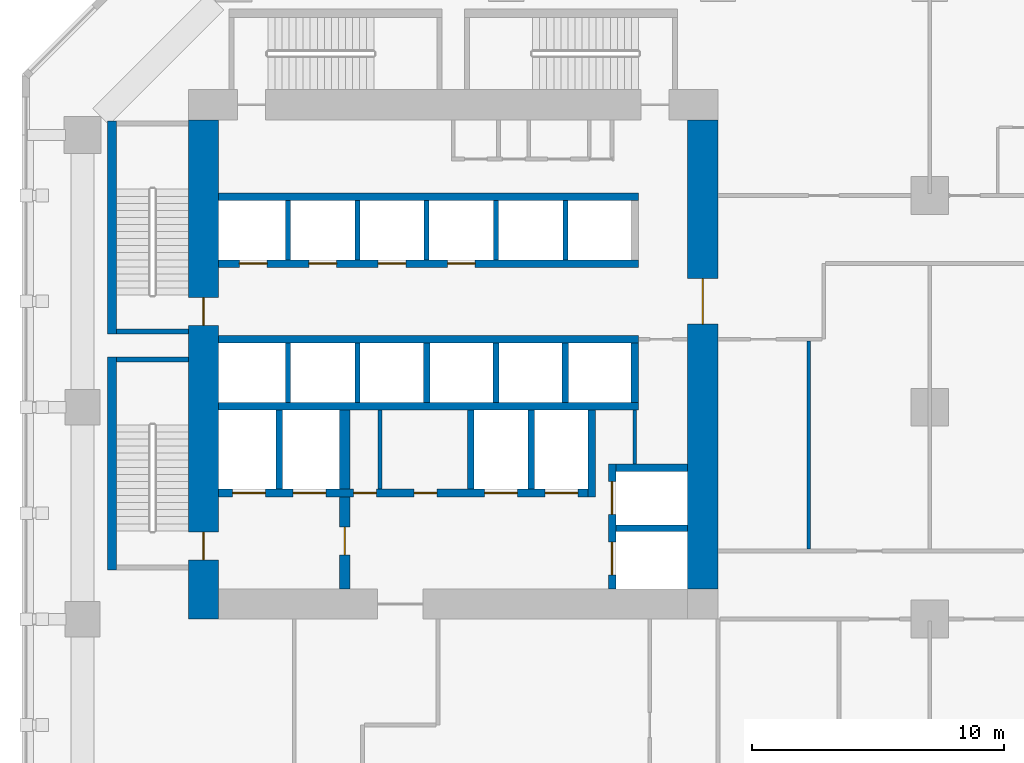
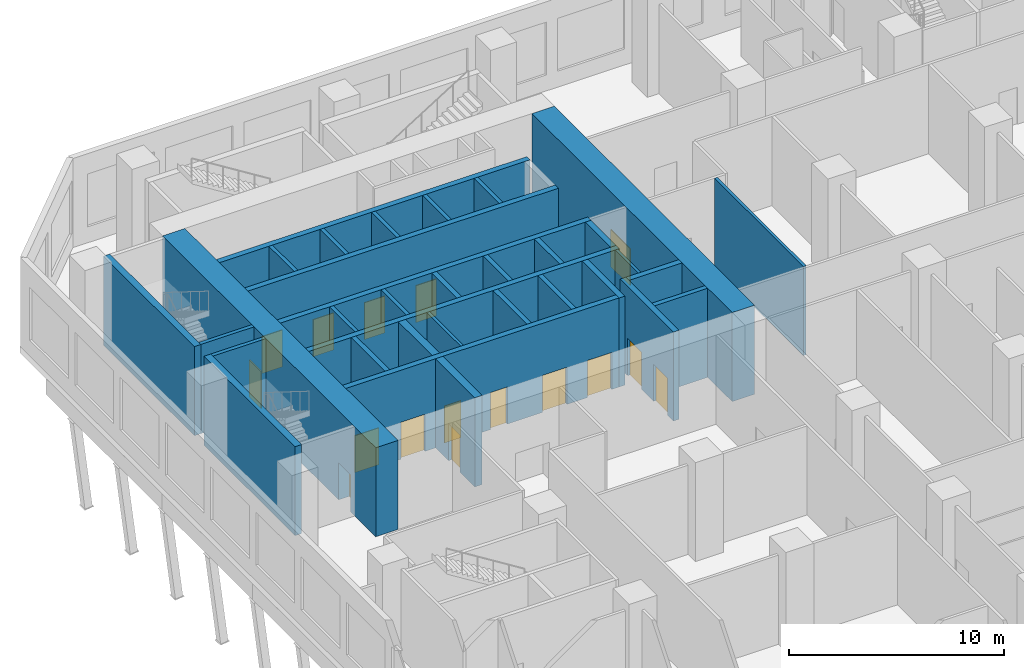
# One storey, part 10 of 24: 34 walls, 16 doors, 16 openings.
"""IFC4 building model written with IfcOpenShell, lengths in metres."""

from ifc_helpers import new_model, si_unit, direction, frame, frame_2d, origin, place, context, subcontext, project, spatial, rectangle, extrude, material, layer, layer_set, type_object, element, fill, save


model = new_model("IFC4")

# Units and contexts
model_context = context("Model", 3, precision=1e-05, world=origin(), true_north=direction((0.0, 1.0)))
body_context = subcontext(model_context, "Body", "Model", "MODEL_VIEW")
ifc_project = project(units=[si_unit("LENGTHUNIT", "METRE"), si_unit("AREAUNIT", "SQUARE_METRE"), si_unit("VOLUMEUNIT", "CUBIC_METRE"), si_unit("PLANEANGLEUNIT", "RADIAN"), si_unit("MASSUNIT", "GRAM", prefix="KILO")], contexts=[model_context])

# Site, building, storey
site_placement = place(None, origin())
site = spatial("IfcSite", under=ifc_project, at=site_placement, CompositionType="ELEMENT")
building_placement = place(site_placement, origin())
building = spatial("IfcBuilding", under=site, at=building_placement, Name="Kawkab Arch Medical Tower", CompositionType="ELEMENT")
storey_placement = place(building_placement, frame((0.0, 0.0, 18.199951171875)))
storey = spatial("IfcBuildingStorey", under=building, at=storey_placement, Name="L04", CompositionType="ELEMENT", Elevation=18.199951171875)

# Wall, openings, doors
ifc_material_1 = material(Name="Concrete C60/75", Category="concrete")
ifc_layer_1 = layer(ifc_material_1, 1.199951171875)
ifc_layer_set_1 = layer_set([ifc_layer_1], Name="Concrete C60/75")
wall_type_1 = type_object("IfcWallType", Name="Core ring wall 1200 C60/75", PredefinedType="SHEAR", material=ifc_layer_set_1)
wall_1_placement = place(storey_placement, frame((4.800048828125, -25.199951171875, 0.0), z_axis=(0.0, 0.0, 1.0), x_axis=(0.0, 1.0, 0.0)))
wall_1 = element("IfcWall", 1, at=wall_1_placement, inside=storey, type_object=wall_type_1, Name="L04 core wall", PredefinedType="SHEAR", context=body_context, shape_type="SweptSolid", body=[
    extrude(rectangle(XDim=19.800048828125, YDim=1.199951171875, at=frame_2d((9.89990234375, 0.0))), origin(), (0.0, 0.0, 1.0), 5.050048828125),
])
opening_1_placement = place(wall_1_placement, frame((11.64990234375, 0.0, 0.0)))
opening_1 = element("IfcOpeningElement", 2, at=opening_1_placement, cuts=wall_1, Name="Opening SD", PredefinedType="OPENING", context=body_context, shape_type="SweptSolid", body=[
    extrude(rectangle(XDim=1.10009765625, YDim=2.10009765625, at=frame_2d((0.550048828125, 1.050048828125))), frame((0.0, 0.60986328125, 0.0), z_axis=(0.0, -1.0, 0.0), x_axis=(1.0, 0.0, 0.0)), (0.0, 0.0, 1.0), 1.219970703125),
])
opening_2_placement = place(wall_1_placement, frame((2.35009765625, 0.0, 0.0)))
opening_2 = element("IfcOpeningElement", 3, at=opening_2_placement, cuts=wall_1, Name="Opening SD", PredefinedType="OPENING", context=body_context, shape_type="SweptSolid", body=[
    extrude(rectangle(XDim=1.10009765625, YDim=2.10009765625, at=frame_2d((0.550048828125, 1.050048828125))), frame((0.0, 0.60986328125, 0.0), z_axis=(0.0, -1.0, 0.0), x_axis=(1.0, 0.0, 0.0)), (0.0, 0.0, 1.0), 1.219970703125),
])
ifc_material_2 = material(Name="Hollow metal fire door leaf")
door_type_1 = type_object("IfcDoorType", Name="Exit stair door 1100", OperationType="SINGLE_SWING_LEFT", PredefinedType="DOOR", material=ifc_material_2)
door_1_placement = place(opening_1_placement, origin())
door_1 = element("IfcDoor", 4, at=door_1_placement, inside=storey, type_object=door_type_1, Name="L04 Exit stair ST1 door", OperationType="SINGLE_SWING_LEFT", OverallHeight=2.10009765625, OverallWidth=1.10009765625, PredefinedType="DOOR", context=body_context, shape_type="SweptSolid", body=[
    extrude(rectangle(XDim=1.10009765625, YDim=2.10009765625, at=frame_2d((0.550048828125, 1.050048828125))), frame((0.0, 0.02490234375, 0.0), z_axis=(0.0, -1.0, 0.0), x_axis=(1.0, 0.0, 0.0)), (0.0, 0.0, 1.0), 0.050048828125),
])
fill(opening_1, door_1)
door_2_placement = place(opening_2_placement, origin())
door_2 = element("IfcDoor", 5, at=door_2_placement, inside=storey, type_object=door_type_1, Name="L04 Exit stair ST2 door", OperationType="SINGLE_SWING_LEFT", OverallHeight=2.10009765625, OverallWidth=1.10009765625, PredefinedType="DOOR", context=body_context, shape_type="SweptSolid", body=[
    extrude(rectangle(XDim=1.10009765625, YDim=2.10009765625, at=frame_2d((0.550048828125, 1.050048828125))), frame((0.0, 0.02490234375, 0.0), z_axis=(0.0, -1.0, 0.0), x_axis=(1.0, 0.0, 0.0)), (0.0, 0.0, 1.0), 0.050048828125),
])
fill(opening_2, door_2)

# Wall, opening, door
wall_2_placement = place(storey_placement, frame((24.60009765625, -24.0, 0.0), z_axis=(0.0, 0.0, 1.0), x_axis=(0.0, 1.0, 0.0)))
wall_2 = element("IfcWall", 6, at=wall_2_placement, inside=storey, type_object=wall_type_1, Name="L04 core wall", PredefinedType="SHEAR", context=body_context, shape_type="SweptSolid", body=[
    extrude(rectangle(XDim=18.60009765625, YDim=1.199951171875, at=frame_2d((9.300048828125, 0.0))), origin(), (0.0, 0.0, 1.0), 5.050048828125),
])
opening_3_placement = place(wall_2_placement, frame((10.5, 0.0, 0.0)))
opening_3 = element("IfcOpeningElement", 7, at=opening_3_placement, cuts=wall_2, Name="Opening PD", PredefinedType="OPENING", context=body_context, shape_type="SweptSolid", body=[
    extrude(rectangle(XDim=1.800048828125, YDim=2.10009765625, at=frame_2d((0.89990234375, 1.050048828125))), frame((0.0, 0.60986328125, 0.0), z_axis=(0.0, -1.0, 0.0), x_axis=(1.0, 0.0, 0.0)), (0.0, 0.0, 1.0), 1.219970703125),
])
ifc_material_3 = material(Name="Hollow metal fire door leaf")
door_type_2 = type_object("IfcDoorType", Name="Core entrance doors 1800", OperationType="DOUBLE_DOOR_SINGLE_SWING", PredefinedType="DOOR", material=ifc_material_3)
door_3_placement = place(opening_3_placement, origin())
door_3 = element("IfcDoor", 8, at=door_3_placement, inside=storey, type_object=door_type_2, Name="L04 East entrance doors", OperationType="DOUBLE_DOOR_SINGLE_SWING", OverallHeight=2.10009765625, OverallWidth=1.800048828125, PredefinedType="DOOR", context=body_context, shape_type="SweptSolid", body=[
    extrude(rectangle(XDim=1.800048828125, YDim=2.10009765625, at=frame_2d((0.89990234375, 1.050048828125))), frame((0.0, 0.02490234375, 0.0), z_axis=(0.0, -1.0, 0.0), x_axis=(1.0, 0.0, 0.0)), (0.0, 0.0, 1.0), 0.050048828125),
])
fill(opening_3, door_3)

# Walls
ifc_material_4 = material(Name="Gypsum board on steel studs", Category="steel")
ifc_layer_2 = layer(ifc_material_4, 0.14990234375)
ifc_layer_set_2 = layer_set([ifc_layer_2], Name="Gypsum board on steel studs")
wall_type_2 = type_object("IfcWallType", Name="Core room partition 150", PredefinedType="PARTITIONING", material=ifc_layer_set_2)
wall_3_placement = place(storey_placement, frame((21.89990234375, -19.050048828125, 0.0), z_axis=(0.0, 0.0, 1.0), x_axis=(0.0, 1.0, 0.0)))
element("IfcWall", 9, at=wall_3_placement, inside=storey, type_object=wall_type_2, Name="L04 core room partition", PredefinedType="PARTITIONING", context=body_context, shape_type="SweptSolid", body=[
    extrude(rectangle(XDim=2.150146484375, YDim=0.14990234375, at=frame_2d((1.0751953125, 0.0))), origin(), (0.0, 0.0, 1.0), 5.050048828125),
])
wall_4_placement = place(storey_placement, frame((11.800048828125, -20.050048828125, 0.0), z_axis=(0.0, 0.0, 1.0), x_axis=(0.0, 1.0, 0.0)))
element("IfcWall", 10, at=wall_4_placement, inside=storey, type_object=wall_type_2, Name="L04 core room partition", PredefinedType="PARTITIONING", context=body_context, shape_type="SweptSolid", body=[
    extrude(rectangle(XDim=3.150146484375, YDim=0.14990234375, at=frame_2d((1.5751953125, 0.0))), origin(), (0.0, 0.0, 1.0), 5.050048828125),
])
ifc_material_5 = material(Name="Concrete C60/75", Category="concrete")
ifc_layer_3 = layer(ifc_material_5, 0.25)
ifc_layer_set_3 = layer_set([ifc_layer_3], Name="Concrete C60/75")
wall_type_3 = type_object("IfcWallType", Name="Core shear wall 250 C60/75", PredefinedType="SHEAR", material=ifc_layer_set_3)
wall_5_placement = place(storey_placement, frame((21.14990234375, -21.60009765625, 0.0), z_axis=(0.0, 0.0, 1.0), x_axis=(1.0, 0.0, 0.0)))
element("IfcWall", 11, at=wall_5_placement, inside=storey, type_object=wall_type_3, Name="L04 core shear wall", PredefinedType="SHEAR", context=body_context, shape_type="SweptSolid", body=[
    extrude(rectangle(XDim=2.85009765625, YDim=0.25, at=frame_2d((1.425048828125, 0.0))), origin(), (0.0, 0.0, 1.0), 5.050048828125),
])
for number, where, z_axis, x_axis, name in (
    (12, (7.800048828125, -20.050048828125, 0.0), (0.0, 0.0, 1.0), (0.0, 1.0, 0.0), "L04 core shear wall"),
    (13, (15.39990234375, -20.050048828125, 0.0), (0.0, 0.0, 1.0), (0.0, 1.0, 0.0), "L04 core shear wall"),
    (14, (17.800048828125, -20.050048828125, 0.0), (0.0, 0.0, 1.0), (0.0, 1.0, 0.0), "L04 core shear wall"),
):
    element("IfcWall", number, at=place(storey_placement, frame(where, z_axis=z_axis, x_axis=x_axis)), inside=storey, type_object=wall_type_3, Name=name, PredefinedType="SHEAR", context=body_context, shape_type="SweptSolid", body=[
        extrude(rectangle(XDim=3.150146484375, YDim=0.25, at=frame_2d((1.5751953125, 0.0))), origin(), (0.0, 0.0, 1.0), 5.050048828125),
    ])
for number, where, z_axis, x_axis, name in (
    (15, (13.64990234375, -16.60009765625, 0.0), (0.0, 0.0, 1.0), (0.0, 1.0, 0.0), "L04 core shear wall"),
    (16, (16.39990234375, -16.60009765625, 0.0), (0.0, 0.0, 1.0), (0.0, 1.0, 0.0), "L04 core shear wall"),
    (17, (19.14990234375, -16.60009765625, 0.0), (0.0, 0.0, 1.0), (0.0, 1.0, 0.0), "L04 core shear wall"),
):
    element("IfcWall", number, at=place(storey_placement, frame(where, z_axis=z_axis, x_axis=x_axis)), inside=storey, type_object=wall_type_3, Name=name, PredefinedType="SHEAR", context=body_context, shape_type="SweptSolid", body=[
        extrude(rectangle(XDim=2.35009765625, YDim=0.25, at=frame_2d((1.175048828125, 0.0))), origin(), (0.0, 0.0, 1.0), 5.050048828125),
    ])
ifc_material_6 = material(Name="Concrete C60/75", Category="concrete")
ifc_layer_4 = layer(ifc_material_6, 0.300048828125)
ifc_layer_set_4 = layer_set([ifc_layer_4], Name="Concrete C60/75")
wall_type_4 = type_object("IfcWallType", Name="Core shear wall 300 C60/75", PredefinedType="SHEAR", material=ifc_layer_set_4)
wall_6_placement = place(storey_placement, frame((5.39990234375, -8.449951171875, 0.0), z_axis=(0.0, 0.0, 1.0), x_axis=(1.0, 0.0, 0.0)))
element("IfcWall", 18, at=wall_6_placement, inside=storey, type_object=wall_type_4, Name="L04 core shear wall", PredefinedType="SHEAR", context=body_context, shape_type="SweptSolid", body=[
    extrude(rectangle(XDim=16.650146484375, YDim=0.300048828125, at=frame_2d((8.3251953125, 0.0))), origin(), (0.0, 0.0, 1.0), 5.050048828125),
])

# Wall, openings, doors
wall_7_placement = place(storey_placement, frame((5.39990234375, -11.10009765625, 0.0), z_axis=(0.0, 0.0, 1.0), x_axis=(1.0, 0.0, 0.0)))
wall_7 = element("IfcWall", 19, at=wall_7_placement, inside=storey, type_object=wall_type_4, Name="L04 core shear wall", PredefinedType="SHEAR", context=body_context, shape_type="SweptSolid", body=[
    extrude(rectangle(XDim=16.650146484375, YDim=0.300048828125, at=frame_2d((8.3251953125, 0.0))), origin(), (0.0, 0.0, 1.0), 5.050048828125),
])
opening_4_placement = place(wall_7_placement, frame((0.824951171875, 0.0, 0.0)))
opening_4 = element("IfcOpeningElement", 20, at=opening_4_placement, cuts=wall_7, Name="Opening LD1", PredefinedType="OPENING", context=body_context, shape_type="SweptSolid", body=[
    extrude(rectangle(XDim=1.10009765625, YDim=2.10009765625, at=frame_2d((0.550048828125, 1.050048828125))), frame((0.0, 0.159912109375, 0.0), z_axis=(0.0, -1.0, 0.0), x_axis=(1.0, 0.0, 0.0)), (0.0, 0.0, 1.0), 0.320068359375),
])
opening_5_placement = place(wall_7_placement, frame((3.574951171875, 0.0, 0.0)))
opening_5 = element("IfcOpeningElement", 21, at=opening_5_placement, cuts=wall_7, Name="Opening LD1", PredefinedType="OPENING", context=body_context, shape_type="SweptSolid", body=[
    extrude(rectangle(XDim=1.10009765625, YDim=2.10009765625, at=frame_2d((0.550048828125, 1.050048828125))), frame((0.0, 0.159912109375, 0.0), z_axis=(0.0, -1.0, 0.0), x_axis=(1.0, 0.0, 0.0)), (0.0, 0.0, 1.0), 0.320068359375),
])
opening_6_placement = place(wall_7_placement, frame((6.324951171875, 0.0, 0.0)))
opening_6 = element("IfcOpeningElement", 22, at=opening_6_placement, cuts=wall_7, Name="Opening LD1", PredefinedType="OPENING", context=body_context, shape_type="SweptSolid", body=[
    extrude(rectangle(XDim=1.10009765625, YDim=2.10009765625, at=frame_2d((0.550048828125, 1.050048828125))), frame((0.0, 0.159912109375, 0.0), z_axis=(0.0, -1.0, 0.0), x_axis=(1.0, 0.0, 0.0)), (0.0, 0.0, 1.0), 0.320068359375),
])
opening_7_placement = place(wall_7_placement, frame((9.074951171875, 0.0, 0.0)))
opening_7 = element("IfcOpeningElement", 23, at=opening_7_placement, cuts=wall_7, Name="Opening LD1", PredefinedType="OPENING", context=body_context, shape_type="SweptSolid", body=[
    extrude(rectangle(XDim=1.10009765625, YDim=2.10009765625, at=frame_2d((0.550048828125, 1.050048828125))), frame((0.0, 0.159912109375, 0.0), z_axis=(0.0, -1.0, 0.0), x_axis=(1.0, 0.0, 0.0)), (0.0, 0.0, 1.0), 0.320068359375),
])
ifc_material_7 = material(Name="Stainless steel lift door leaf", Category="steel")
door_type_3 = type_object("IfcDoorType", Name="Lift landing door 1100", OperationType="DOUBLE_DOOR_SLIDING", PredefinedType="DOOR", material=ifc_material_7)
door_4_placement = place(opening_4_placement, origin())
door_4 = element("IfcDoor", 24, at=door_4_placement, inside=storey, type_object=door_type_3, Name="L04 Lift landing door LP1", OperationType="DOUBLE_DOOR_SLIDING", OverallHeight=2.10009765625, OverallWidth=1.10009765625, PredefinedType="DOOR", context=body_context, shape_type="SweptSolid", body=[
    extrude(rectangle(XDim=1.10009765625, YDim=2.10009765625, at=frame_2d((0.550048828125, 1.050048828125))), frame((0.0, 0.02490234375, 0.0), z_axis=(0.0, -1.0, 0.0), x_axis=(1.0, 0.0, 0.0)), (0.0, 0.0, 1.0), 0.050048828125),
])
fill(opening_4, door_4)
door_5_placement = place(opening_5_placement, origin())
door_5 = element("IfcDoor", 25, at=door_5_placement, inside=storey, type_object=door_type_3, Name="L04 Lift landing door LP2", OperationType="DOUBLE_DOOR_SLIDING", OverallHeight=2.10009765625, OverallWidth=1.10009765625, PredefinedType="DOOR", context=body_context, shape_type="SweptSolid", body=[
    extrude(rectangle(XDim=1.10009765625, YDim=2.10009765625, at=frame_2d((0.550048828125, 1.050048828125))), frame((0.0, 0.02490234375, 0.0), z_axis=(0.0, -1.0, 0.0), x_axis=(1.0, 0.0, 0.0)), (0.0, 0.0, 1.0), 0.050048828125),
])
fill(opening_5, door_5)
door_6_placement = place(opening_6_placement, origin())
door_6 = element("IfcDoor", 26, at=door_6_placement, inside=storey, type_object=door_type_3, Name="L04 Lift landing door LP3", OperationType="DOUBLE_DOOR_SLIDING", OverallHeight=2.10009765625, OverallWidth=1.10009765625, PredefinedType="DOOR", context=body_context, shape_type="SweptSolid", body=[
    extrude(rectangle(XDim=1.10009765625, YDim=2.10009765625, at=frame_2d((0.550048828125, 1.050048828125))), frame((0.0, 0.02490234375, 0.0), z_axis=(0.0, -1.0, 0.0), x_axis=(1.0, 0.0, 0.0)), (0.0, 0.0, 1.0), 0.050048828125),
])
fill(opening_6, door_6)
door_7_placement = place(opening_7_placement, origin())
door_7 = element("IfcDoor", 27, at=door_7_placement, inside=storey, type_object=door_type_3, Name="L04 Lift landing door LP4", OperationType="DOUBLE_DOOR_SLIDING", OverallHeight=2.10009765625, OverallWidth=1.10009765625, PredefinedType="DOOR", context=body_context, shape_type="SweptSolid", body=[
    extrude(rectangle(XDim=1.10009765625, YDim=2.10009765625, at=frame_2d((0.550048828125, 1.050048828125))), frame((0.0, 0.02490234375, 0.0), z_axis=(0.0, -1.0, 0.0), x_axis=(1.0, 0.0, 0.0)), (0.0, 0.0, 1.0), 0.050048828125),
])
fill(opening_7, door_7)

# Walls
for number, where, z_axis, x_axis, name in (
    (28, (5.39990234375, -14.10009765625, 0.0), (0.0, 0.0, 1.0), (1.0, 0.0, 0.0), "L04 core shear wall"),
    (29, (5.39990234375, -16.75, 0.0), (0.0, 0.0, 1.0), (1.0, 0.0, 0.0), "L04 core shear wall"),
):
    element("IfcWall", number, at=place(storey_placement, frame(where, z_axis=z_axis, x_axis=x_axis)), inside=storey, type_object=wall_type_4, Name=name, PredefinedType="SHEAR", context=body_context, shape_type="SweptSolid", body=[
        extrude(rectangle(XDim=16.650146484375, YDim=0.300048828125, at=frame_2d((8.3251953125, 0.0))), origin(), (0.0, 0.0, 1.0), 5.050048828125),
    ])

# Wall, openings, doors
wall_8_placement = place(storey_placement, frame((5.39990234375, -20.199951171875, 0.0), z_axis=(0.0, 0.0, 1.0), x_axis=(1.0, 0.0, 0.0)))
wall_8 = element("IfcWall", 30, at=wall_8_placement, inside=storey, type_object=wall_type_4, Name="L04 core shear wall", PredefinedType="SHEAR", context=body_context, shape_type="SweptSolid", body=[
    extrude(rectangle(XDim=14.650146484375, YDim=0.300048828125, at=frame_2d((7.3251953125, 0.0))), origin(), (0.0, 0.0, 1.0), 5.050048828125),
])
opening_8_placement = place(wall_8_placement, frame((10.550048828125, 0.0, 0.0)))
opening_8 = element("IfcOpeningElement", 31, at=opening_8_placement, cuts=wall_8, Name="Opening LD2", PredefinedType="OPENING", context=body_context, shape_type="SweptSolid", body=[
    extrude(rectangle(XDim=1.300048828125, YDim=2.10009765625, at=frame_2d((0.64990234375, 1.050048828125))), frame((0.0, 0.159912109375, 0.0), z_axis=(0.0, -1.0, 0.0), x_axis=(1.0, 0.0, 0.0)), (0.0, 0.0, 1.0), 0.320068359375),
])
opening_9_placement = place(wall_8_placement, frame((12.949951171875, 0.0, 0.0)))
opening_9 = element("IfcOpeningElement", 32, at=opening_9_placement, cuts=wall_8, Name="Opening LD2", PredefinedType="OPENING", context=body_context, shape_type="SweptSolid", body=[
    extrude(rectangle(XDim=1.300048828125, YDim=2.10009765625, at=frame_2d((0.64990234375, 1.050048828125))), frame((0.0, 0.159912109375, 0.0), z_axis=(0.0, -1.0, 0.0), x_axis=(1.0, 0.0, 0.0)), (0.0, 0.0, 1.0), 0.320068359375),
])
opening_10_placement = place(wall_8_placement, frame((0.550048828125, 0.0, 0.0)))
opening_10 = element("IfcOpeningElement", 33, at=opening_10_placement, cuts=wall_8, Name="Opening LD2", PredefinedType="OPENING", context=body_context, shape_type="SweptSolid", body=[
    extrude(rectangle(XDim=1.300048828125, YDim=2.10009765625, at=frame_2d((0.64990234375, 1.050048828125))), frame((0.0, 0.159912109375, 0.0), z_axis=(0.0, -1.0, 0.0), x_axis=(1.0, 0.0, 0.0)), (0.0, 0.0, 1.0), 0.320068359375),
])
opening_11_placement = place(wall_8_placement, frame((2.949951171875, 0.0, 0.0)))
opening_11 = element("IfcOpeningElement", 34, at=opening_11_placement, cuts=wall_8, Name="Opening LD2", PredefinedType="OPENING", context=body_context, shape_type="SweptSolid", body=[
    extrude(rectangle(XDim=1.300048828125, YDim=2.10009765625, at=frame_2d((0.64990234375, 1.050048828125))), frame((0.0, 0.159912109375, 0.0), z_axis=(0.0, -1.0, 0.0), x_axis=(1.0, 0.0, 0.0)), (0.0, 0.0, 1.0), 0.320068359375),
])
opening_12_placement = place(wall_8_placement, frame((5.35009765625, 0.0, 0.0)))
opening_12 = element("IfcOpeningElement", 35, at=opening_12_placement, cuts=wall_8, Name="Opening RD", PredefinedType="OPENING", context=body_context, shape_type="SweptSolid", body=[
    extrude(rectangle(XDim=0.89990234375, YDim=2.10009765625, at=frame_2d((0.449951171875, 1.050048828125))), frame((0.0, 0.159912109375, 0.0), z_axis=(0.0, -1.0, 0.0), x_axis=(1.0, 0.0, 0.0)), (0.0, 0.0, 1.0), 0.320068359375),
])
opening_13_placement = place(wall_8_placement, frame((7.75, 0.0, 0.0)))
opening_13 = element("IfcOpeningElement", 36, at=opening_13_placement, cuts=wall_8, Name="Opening RD", PredefinedType="OPENING", context=body_context, shape_type="SweptSolid", body=[
    extrude(rectangle(XDim=0.89990234375, YDim=2.10009765625, at=frame_2d((0.449951171875, 1.050048828125))), frame((0.0, 0.159912109375, 0.0), z_axis=(0.0, -1.0, 0.0), x_axis=(1.0, 0.0, 0.0)), (0.0, 0.0, 1.0), 0.320068359375),
])
ifc_material_8 = material(Name="Hollow metal fire door leaf")
door_type_4 = type_object("IfcDoorType", Name="Core room door 900", OperationType="SINGLE_SWING_LEFT", PredefinedType="DOOR", material=ifc_material_8)
door_8_placement = place(opening_12_placement, origin())
door_8 = element("IfcDoor", 37, at=door_8_placement, inside=storey, type_object=door_type_4, Name="L04 Equipment store door", OperationType="SINGLE_SWING_LEFT", OverallHeight=2.10009765625, OverallWidth=0.89990234375, PredefinedType="DOOR", context=body_context, shape_type="SweptSolid", body=[
    extrude(rectangle(XDim=0.89990234375, YDim=2.10009765625, at=frame_2d((0.449951171875, 1.050048828125))), frame((0.0, 0.02490234375, 0.0), z_axis=(0.0, -1.0, 0.0), x_axis=(1.0, 0.0, 0.0)), (0.0, 0.0, 1.0), 0.050048828125),
])
fill(opening_12, door_8)
door_9_placement = place(opening_13_placement, origin())
door_9 = element("IfcDoor", 38, at=door_9_placement, inside=storey, type_object=door_type_4, Name="L04 Medication store door", OperationType="SINGLE_SWING_LEFT", OverallHeight=2.10009765625, OverallWidth=0.89990234375, PredefinedType="DOOR", context=body_context, shape_type="SweptSolid", body=[
    extrude(rectangle(XDim=0.89990234375, YDim=2.10009765625, at=frame_2d((0.449951171875, 1.050048828125))), frame((0.0, 0.02490234375, 0.0), z_axis=(0.0, -1.0, 0.0), x_axis=(1.0, 0.0, 0.0)), (0.0, 0.0, 1.0), 0.050048828125),
])
fill(opening_13, door_9)
ifc_material_9 = material(Name="Stainless steel lift door leaf", Category="steel")
door_type_5 = type_object("IfcDoorType", Name="Lift landing door 1300", OperationType="DOUBLE_DOOR_SLIDING", PredefinedType="DOOR", material=ifc_material_9)
door_10_placement = place(opening_8_placement, origin())
door_10 = element("IfcDoor", 39, at=door_10_placement, inside=storey, type_object=door_type_5, Name="L04 Lift landing door BD3", OperationType="DOUBLE_DOOR_SLIDING", OverallHeight=2.10009765625, OverallWidth=1.300048828125, PredefinedType="DOOR", context=body_context, shape_type="SweptSolid", body=[
    extrude(rectangle(XDim=1.300048828125, YDim=2.10009765625, at=frame_2d((0.64990234375, 1.050048828125))), frame((0.0, 0.02490234375, 0.0), z_axis=(0.0, -1.0, 0.0), x_axis=(1.0, 0.0, 0.0)), (0.0, 0.0, 1.0), 0.050048828125),
])
fill(opening_8, door_10)
door_11_placement = place(opening_9_placement, origin())
door_11 = element("IfcDoor", 40, at=door_11_placement, inside=storey, type_object=door_type_5, Name="L04 Lift landing door BD4", OperationType="DOUBLE_DOOR_SLIDING", OverallHeight=2.10009765625, OverallWidth=1.300048828125, PredefinedType="DOOR", context=body_context, shape_type="SweptSolid", body=[
    extrude(rectangle(XDim=1.300048828125, YDim=2.10009765625, at=frame_2d((0.64990234375, 1.050048828125))), frame((0.0, 0.02490234375, 0.0), z_axis=(0.0, -1.0, 0.0), x_axis=(1.0, 0.0, 0.0)), (0.0, 0.0, 1.0), 0.050048828125),
])
fill(opening_9, door_11)
door_12_placement = place(opening_10_placement, origin())
door_12 = element("IfcDoor", 41, at=door_12_placement, inside=storey, type_object=door_type_5, Name="L04 Lift landing door FL1", OperationType="DOUBLE_DOOR_SLIDING", OverallHeight=2.10009765625, OverallWidth=1.300048828125, PredefinedType="DOOR", context=body_context, shape_type="SweptSolid", body=[
    extrude(rectangle(XDim=1.300048828125, YDim=2.10009765625, at=frame_2d((0.64990234375, 1.050048828125))), frame((0.0, 0.02490234375, 0.0), z_axis=(0.0, -1.0, 0.0), x_axis=(1.0, 0.0, 0.0)), (0.0, 0.0, 1.0), 0.050048828125),
])
fill(opening_10, door_12)
door_13_placement = place(opening_11_placement, origin())
door_13 = element("IfcDoor", 42, at=door_13_placement, inside=storey, type_object=door_type_5, Name="L04 Lift landing door FL2", OperationType="DOUBLE_DOOR_SLIDING", OverallHeight=2.10009765625, OverallWidth=1.300048828125, PredefinedType="DOOR", context=body_context, shape_type="SweptSolid", body=[
    extrude(rectangle(XDim=1.300048828125, YDim=2.10009765625, at=frame_2d((0.64990234375, 1.050048828125))), frame((0.0, 0.02490234375, 0.0), z_axis=(0.0, -1.0, 0.0), x_axis=(1.0, 0.0, 0.0)), (0.0, 0.0, 1.0), 0.050048828125),
])
fill(opening_11, door_13)

# Walls
wall_9_placement = place(storey_placement, frame((20.199951171875, -20.35009765625, 0.0), z_axis=(0.0, 0.0, 1.0), x_axis=(0.0, 1.0, 0.0)))
element("IfcWall", 43, at=wall_9_placement, inside=storey, type_object=wall_type_4, Name="L04 core shear wall", PredefinedType="SHEAR", context=body_context, shape_type="SweptSolid", body=[
    extrude(rectangle(XDim=3.4501953125, YDim=0.300048828125, at=frame_2d((1.72509765625, 0.0))), origin(), (0.0, 0.0, 1.0), 5.050048828125),
])
wall_10_placement = place(storey_placement, frame((21.89990234375, -16.60009765625, 0.0), z_axis=(0.0, 0.0, 1.0), x_axis=(0.0, 1.0, 0.0)))
element("IfcWall", 44, at=wall_10_placement, inside=storey, type_object=wall_type_4, Name="L04 core shear wall", PredefinedType="SHEAR", context=body_context, shape_type="SweptSolid", body=[
    extrude(rectangle(XDim=2.35009765625, YDim=0.300048828125, at=frame_2d((1.175048828125, 0.0))), origin(), (0.0, 0.0, 1.0), 5.050048828125),
])
wall_11_placement = place(storey_placement, frame((21.14990234375, -19.199951171875, 0.0), z_axis=(0.0, 0.0, 1.0), x_axis=(1.0, 0.0, 0.0)))
element("IfcWall", 45, at=wall_11_placement, inside=storey, type_object=wall_type_4, Name="L04 core shear wall", PredefinedType="SHEAR", context=body_context, shape_type="SweptSolid", body=[
    extrude(rectangle(XDim=2.85009765625, YDim=0.300048828125, at=frame_2d((1.425048828125, 0.0))), origin(), (0.0, 0.0, 1.0), 5.050048828125),
])

# Wall, openings, doors
wall_12_placement = place(storey_placement, frame((21.0, -24.0, 0.0), z_axis=(0.0, 0.0, 1.0), x_axis=(0.0, 1.0, 0.0)))
wall_12 = element("IfcWall", 46, at=wall_12_placement, inside=storey, type_object=wall_type_4, Name="L04 core shear wall", PredefinedType="SHEAR", context=body_context, shape_type="SweptSolid", body=[
    extrude(rectangle(XDim=4.949951171875, YDim=0.300048828125, at=frame_2d((2.47509765625, 0.0))), origin(), (0.0, 0.0, 1.0), 5.050048828125),
])
opening_14_placement = place(wall_12_placement, frame((2.949951171875, 0.0, 0.0)))
opening_14 = element("IfcOpeningElement", 47, at=opening_14_placement, cuts=wall_12, Name="Opening LD2", PredefinedType="OPENING", context=body_context, shape_type="SweptSolid", body=[
    extrude(rectangle(XDim=1.300048828125, YDim=2.10009765625, at=frame_2d((0.64990234375, 1.050048828125))), frame((0.0, 0.159912109375, 0.0), z_axis=(0.0, -1.0, 0.0), x_axis=(1.0, 0.0, 0.0)), (0.0, 0.0, 1.0), 0.320068359375),
])
opening_15_placement = place(wall_12_placement, frame((0.550048828125, 0.0, 0.0)))
opening_15 = element("IfcOpeningElement", 48, at=opening_15_placement, cuts=wall_12, Name="Opening LD2", PredefinedType="OPENING", context=body_context, shape_type="SweptSolid", body=[
    extrude(rectangle(XDim=1.300048828125, YDim=2.10009765625, at=frame_2d((0.64990234375, 1.050048828125))), frame((0.0, 0.159912109375, 0.0), z_axis=(0.0, -1.0, 0.0), x_axis=(1.0, 0.0, 0.0)), (0.0, 0.0, 1.0), 0.320068359375),
])
door_14_placement = place(opening_14_placement, origin())
door_14 = element("IfcDoor", 49, at=door_14_placement, inside=storey, type_object=door_type_5, Name="L04 Lift landing door BD1", OperationType="DOUBLE_DOOR_SLIDING", OverallHeight=2.10009765625, OverallWidth=1.300048828125, PredefinedType="DOOR", context=body_context, shape_type="SweptSolid", body=[
    extrude(rectangle(XDim=1.300048828125, YDim=2.10009765625, at=frame_2d((0.64990234375, 1.050048828125))), frame((0.0, 0.02490234375, 0.0), z_axis=(0.0, -1.0, 0.0), x_axis=(1.0, 0.0, 0.0)), (0.0, 0.0, 1.0), 0.050048828125),
])
fill(opening_14, door_14)
door_15_placement = place(opening_15_placement, origin())
door_15 = element("IfcDoor", 50, at=door_15_placement, inside=storey, type_object=door_type_5, Name="L04 Lift landing door BD2", OperationType="DOUBLE_DOOR_SLIDING", OverallHeight=2.10009765625, OverallWidth=1.300048828125, PredefinedType="DOOR", context=body_context, shape_type="SweptSolid", body=[
    extrude(rectangle(XDim=1.300048828125, YDim=2.10009765625, at=frame_2d((0.64990234375, 1.050048828125))), frame((0.0, 0.02490234375, 0.0), z_axis=(0.0, -1.0, 0.0), x_axis=(1.0, 0.0, 0.0)), (0.0, 0.0, 1.0), 0.050048828125),
])
fill(opening_15, door_15)

# Wall, opening, door
ifc_material_10 = material(Name="Concrete C60/75", Category="concrete")
ifc_layer_5 = layer(ifc_material_10, 0.39990234375)
ifc_layer_set_5 = layer_set([ifc_layer_5], Name="Concrete C60/75")
wall_type_5 = type_object("IfcWallType", Name="Core shear wall 400 C60/75", PredefinedType="SHEAR", material=ifc_layer_set_5)
wall_13_placement = place(storey_placement, frame((10.39990234375, -24.0, 0.0), z_axis=(0.0, 0.0, 1.0), x_axis=(0.0, 1.0, 0.0)))
wall_13 = element("IfcWall", 51, at=wall_13_placement, inside=storey, type_object=wall_type_5, Name="L04 core shear wall", PredefinedType="SHEAR", context=body_context, shape_type="SweptSolid", body=[
    extrude(rectangle(XDim=3.64990234375, YDim=0.39990234375, at=frame_2d((1.824951171875, 0.0))), origin(), (0.0, 0.0, 1.0), 5.050048828125),
])
opening_16_placement = place(wall_13_placement, frame((1.35009765625, 0.0, 0.0)))
opening_16 = element("IfcOpeningElement", 52, at=opening_16_placement, cuts=wall_13, Name="Opening FD", PredefinedType="OPENING", context=body_context, shape_type="SweptSolid", body=[
    extrude(rectangle(XDim=1.10009765625, YDim=2.10009765625, at=frame_2d((0.550048828125, 1.050048828125))), frame((0.0, 0.2099609375, 0.0), z_axis=(0.0, -1.0, 0.0), x_axis=(1.0, 0.0, 0.0)), (0.0, 0.0, 1.0), 0.419921875),
])
ifc_material_11 = material(Name="Hollow metal fire door leaf")
door_type_6 = type_object("IfcDoorType", Name="Firefighting lobby door 1100", OperationType="SINGLE_SWING_LEFT", PredefinedType="DOOR", material=ifc_material_11)
door_16_placement = place(opening_16_placement, origin())
door_16 = element("IfcDoor", 53, at=door_16_placement, inside=storey, type_object=door_type_6, Name="L04 Firefighting lobby door", OperationType="SINGLE_SWING_LEFT", OverallHeight=2.10009765625, OverallWidth=1.10009765625, PredefinedType="DOOR", context=body_context, shape_type="SweptSolid", body=[
    extrude(rectangle(XDim=1.10009765625, YDim=2.10009765625, at=frame_2d((0.550048828125, 1.050048828125))), frame((0.0, 0.02490234375, 0.0), z_axis=(0.0, -1.0, 0.0), x_axis=(1.0, 0.0, 0.0)), (0.0, 0.0, 1.0), 0.050048828125),
])
fill(opening_16, door_16)

# Walls
wall_14_placement = place(storey_placement, frame((10.39990234375, -20.050048828125, 0.0), z_axis=(0.0, 0.0, 1.0), x_axis=(0.0, 1.0, 0.0)))
element("IfcWall", 54, at=wall_14_placement, inside=storey, type_object=wall_type_5, Name="L04 core shear wall", PredefinedType="SHEAR", context=body_context, shape_type="SweptSolid", body=[
    extrude(rectangle(XDim=3.150146484375, YDim=0.39990234375, at=frame_2d((1.5751953125, 0.0))), origin(), (0.0, 0.0, 1.0), 5.050048828125),
])
ifc_material_12 = material(Name="Dense concrete blockwork", Category="masonry")
ifc_layer_6 = layer(ifc_material_12, 0.199951171875)
ifc_layer_set_6 = layer_set([ifc_layer_6], Name="Dense concrete blockwork")
wall_type_6 = type_object("IfcWallType", Name="Lift shaft partition 200", PredefinedType="PARTITIONING", material=ifc_layer_set_6)
for number, where, z_axis, x_axis, name in (
    (55, (8.14990234375, -10.949951171875, 0.0), (0.0, 0.0, 1.0), (0.0, 1.0, 0.0), "L04 lift shaft partition"),
    (56, (10.89990234375, -10.949951171875, 0.0), (0.0, 0.0, 1.0), (0.0, 1.0, 0.0), "L04 lift shaft partition"),
    (57, (13.64990234375, -10.949951171875, 0.0), (0.0, 0.0, 1.0), (0.0, 1.0, 0.0), "L04 lift shaft partition"),
    (58, (16.39990234375, -10.949951171875, 0.0), (0.0, 0.0, 1.0), (0.0, 1.0, 0.0), "L04 lift shaft partition"),
    (59, (19.14990234375, -10.949951171875, 0.0), (0.0, 0.0, 1.0), (0.0, 1.0, 0.0), "L04 lift shaft partition"),
):
    element("IfcWall", number, at=place(storey_placement, frame(where, z_axis=z_axis, x_axis=x_axis)), inside=storey, type_object=wall_type_6, Name=name, PredefinedType="PARTITIONING", context=body_context, shape_type="SweptSolid", body=[
        extrude(rectangle(XDim=2.349853515625, YDim=0.199951171875, at=frame_2d((1.1748046875, 0.0))), origin(), (0.0, 0.0, 1.0), 5.050048828125),
    ])
for number, where, z_axis, x_axis, name in (
    (60, (8.14990234375, -16.60009765625, 0.0), (0.0, 0.0, 1.0), (0.0, 1.0, 0.0), "L04 lift shaft partition"),
    (61, (10.89990234375, -16.60009765625, 0.0), (0.0, 0.0, 1.0), (0.0, 1.0, 0.0), "L04 lift shaft partition"),
):
    element("IfcWall", number, at=place(storey_placement, frame(where, z_axis=z_axis, x_axis=x_axis)), inside=storey, type_object=wall_type_6, Name=name, PredefinedType="PARTITIONING", context=body_context, shape_type="SweptSolid", body=[
        extrude(rectangle(XDim=2.35009765625, YDim=0.199951171875, at=frame_2d((1.175048828125, 0.0))), origin(), (0.0, 0.0, 1.0), 5.050048828125),
    ])
ifc_material_13 = material(Name="Gypsum board partition on steel studs, mineral wool", Category="steel")
ifc_layer_7 = layer(ifc_material_13, 0.14990234375)
ifc_layer_set_7 = layer_set([ifc_layer_7], Name="Gypsum board partition on steel studs, mineral wool")
wall_type_7 = type_object("IfcWallType", Name="Partition 150", PredefinedType="PARTITIONING", material=ifc_layer_set_7)
wall_15_placement = place(storey_placement, frame((28.800048828125, -22.425048828125, 0.0), z_axis=(0.0, 0.0, 1.0), x_axis=(0.0, 1.0, 0.0)))
element("IfcWall", 62, at=wall_15_placement, inside=storey, type_object=wall_type_7, Name="Partition 150 w100", PredefinedType="PARTITIONING", context=body_context, shape_type="SweptSolid", body=[
    extrude(rectangle(XDim=8.25, YDim=0.14990234375, at=frame_2d((4.125, 0.0))), origin(), (0.0, 0.0, 1.0), 5.050048828125),
])
ifc_material_14 = material(Name="Concrete C50/60", Category="concrete")
ifc_layer_8 = layer(ifc_material_14, 0.199951171875)
ifc_layer_set_8 = layer_set([ifc_layer_8], Name="Concrete C50/60")
wall_type_8 = type_object("IfcWallType", Name="Stair enclosure wall 200 C50/60", PredefinedType="SHEAR", material=ifc_layer_set_8)
for number, where, z_axis, x_axis, name in (
    (63, (1.35009765625, -13.800048828125, 0.0), (0.0, 0.0, 1.0), (1.0, 0.0, 0.0), "L04 stair enclosure wall"),
    (64, (1.35009765625, -14.89990234375, 0.0), (0.0, 0.0, 1.0), (1.0, 0.0, 0.0), "L04 stair enclosure wall"),
):
    element("IfcWall", number, at=place(storey_placement, frame(where, z_axis=z_axis, x_axis=x_axis)), inside=storey, type_object=wall_type_8, Name=name, PredefinedType="SHEAR", context=body_context, shape_type="SweptSolid", body=[
        extrude(rectangle(XDim=2.849853515625, YDim=0.199951171875, at=frame_2d((1.4248046875, 0.0))), origin(), (0.0, 0.0, 1.0), 5.050048828125),
    ])
ifc_material_15 = material(Name="Concrete C50/60", Category="concrete")
ifc_layer_9 = layer(ifc_material_15, 0.35009765625)
ifc_layer_set_9 = layer_set([ifc_layer_9], Name="Concrete C50/60")
wall_type_9 = type_object("IfcWallType", Name="Stair enclosure wall 350 C50/60", PredefinedType="SHEAR", material=ifc_layer_set_9)
for number, where, z_axis, x_axis, name in (
    (65, (1.175048828125, -13.89990234375, 0.0), (0.0, 0.0, 1.0), (0.0, 1.0, 0.0), "L04 stair enclosure wall"),
    (66, (1.175048828125, -23.25, 0.0), (0.0, 0.0, 1.0), (0.0, 1.0, 0.0), "L04 stair enclosure wall"),
):
    element("IfcWall", number, at=place(storey_placement, frame(where, z_axis=z_axis, x_axis=x_axis)), inside=storey, type_object=wall_type_9, Name=name, PredefinedType="SHEAR", context=body_context, shape_type="SweptSolid", body=[
        extrude(rectangle(XDim=8.449951171875, YDim=0.35009765625, at=frame_2d((4.22509765625, 0.0))), origin(), (0.0, 0.0, 1.0), 5.050048828125),
    ])

save(model, "model.ifc")
